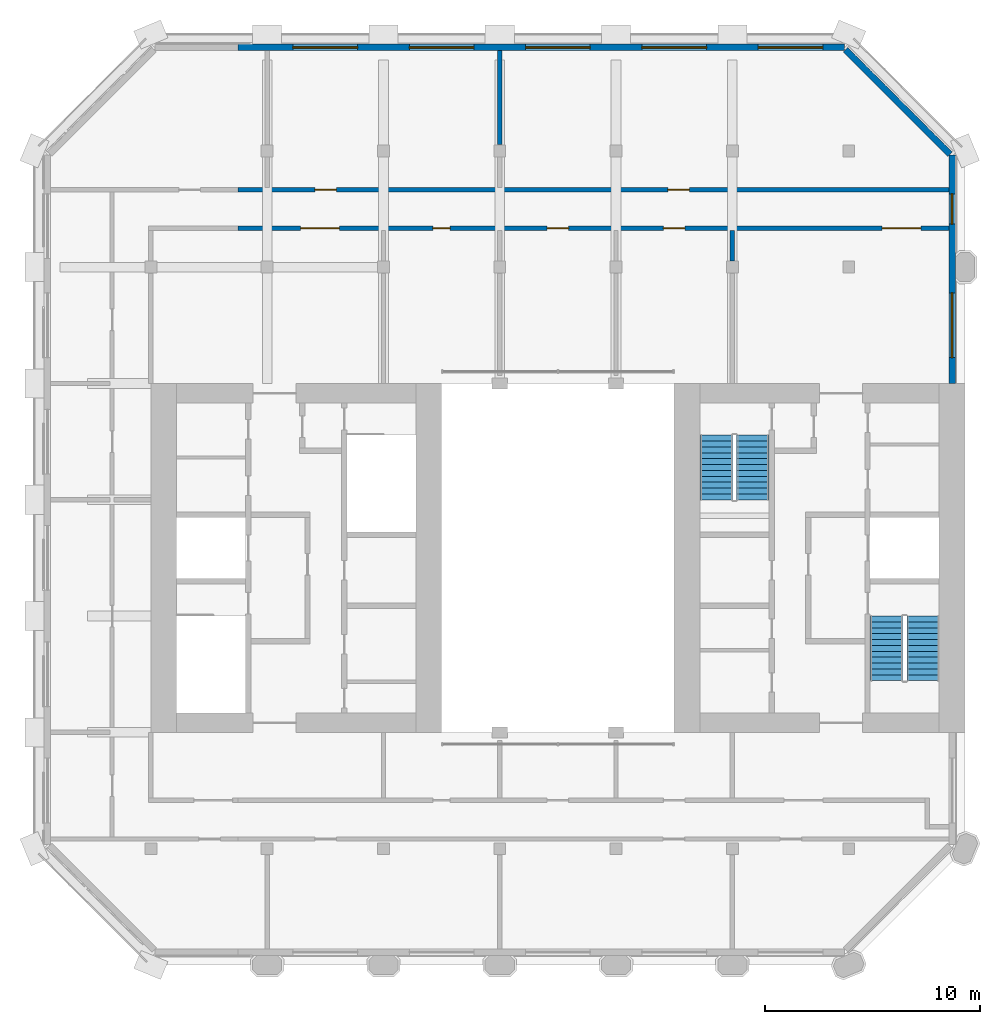
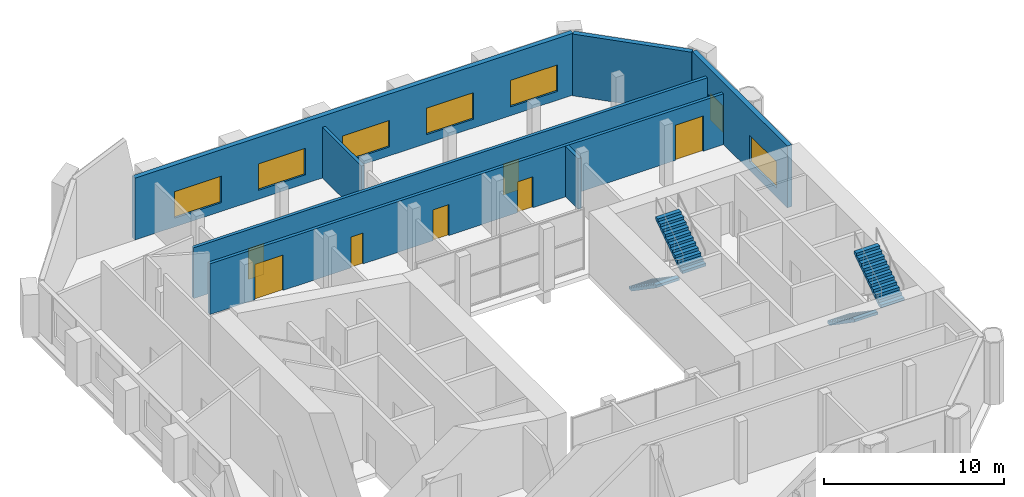
# One storey, part 9 of 11: 7 doors, 7 walls, 7 windows, 4 stair flights, 14 openings, 2 elements without a shape of their own.
"""IFC4 building model written with IfcOpenShell, lengths in metres."""

from ifc_helpers import new_model, si_unit, direction, frame, frame_2d, origin, place, context, subcontext, project, spatial, polyline, rectangle, outline, extrude, material, layer, layer_set, type_object, element, fill, aggregate, save


model = new_model("IFC4")

# Units and contexts
model_context = context("Model", 3, precision=1e-05, world=origin(), true_north=direction((0.0, 1.0)))
body_context = subcontext(model_context, "Body", "Model", "MODEL_VIEW")
ifc_project = project(units=[si_unit("LENGTHUNIT", "METRE"), si_unit("AREAUNIT", "SQUARE_METRE"), si_unit("VOLUMEUNIT", "CUBIC_METRE"), si_unit("PLANEANGLEUNIT", "RADIAN"), si_unit("MASSUNIT", "GRAM", prefix="KILO")], contexts=[model_context])

# Site, building, storey
site_placement = place(None, origin())
site = spatial("IfcSite", under=ifc_project, at=site_placement, CompositionType="ELEMENT")
building_placement = place(site_placement, origin())
building = spatial("IfcBuilding", under=site, at=building_placement, Name="Tabaq Tower and Sports Hall", CompositionType="ELEMENT")
storey_placement = place(building_placement, frame((0.0, 0.0, 321.699951171875)))
storey = spatial("IfcBuildingStorey", under=building, at=storey_placement, Name="L80", CompositionType="ELEMENT", Elevation=321.699951171875)

# Wall
ifc_material_1 = material(Name="Blockwork", Category="masonry")
ifc_layer_1 = layer(ifc_material_1, 0.199951171875)
ifc_layer_set_1 = layer_set([ifc_layer_1], Name="Fire compartment wall 200 Blockwork")
wall_type_1 = type_object("IfcWallType", Name="Fire compartment wall 200 Blockwork", PredefinedType="PARTITIONING", material=ifc_layer_set_1)
wall_1_placement = place(storey_placement, frame((21.60009765625, 47.84912109375, 0.0), z_axis=(0.0, 0.0, 1.0), x_axis=(0.0, -1.0, 0.0)))
element("IfcWall", 1, at=wall_1_placement, inside=storey, type_object=wall_type_1, Name="Compartment wall L80", PredefinedType="PARTITIONING", context=body_context, shape_type="SweptSolid", body=[
    extrude(rectangle(XDim=4.35400390625, YDim=0.199951171875, at=frame_2d((2.177001953125, 0.0))), origin(), (0.0, 0.0, 1.0), 3.449951171875),
])

# Wall, openings, doors
wall_2_placement = place(storey_placement, frame((42.448974609375, 41.39990234375, 0.0), z_axis=(0.0, 0.0, 1.0), x_axis=(-1.0, 0.0, 0.0)))
wall_2 = element("IfcWall", 2, at=wall_2_placement, inside=storey, type_object=wall_type_1, Name="Compartment wall L80", PredefinedType="PARTITIONING", context=body_context, shape_type="SweptSolid", body=[
    extrude(rectangle(XDim=32.9990234375, YDim=0.199951171875, at=frame_2d((16.49951171875, 0.0))), origin(), (0.0, 0.0, 1.0), 3.449951171875),
])
opening_1_placement = place(wall_2_placement, frame((12.049072265625, 0.0, 0.0)))
opening_1 = element("IfcOpeningElement", 3, at=opening_1_placement, cuts=wall_2, Name="Opening L80-002", PredefinedType="OPENING", context=body_context, shape_type="SweptSolid", body=[
    extrude(rectangle(XDim=1.0, YDim=2.10009765625, at=frame_2d((0.5, 1.050048828125))), frame((0.0, 0.10009765625, 0.0), z_axis=(0.0, -1.0, 0.0), x_axis=(1.0, 0.0, 0.0)), (0.0, 0.0, 1.0), 0.199951171875),
])
opening_2_placement = place(wall_2_placement, frame((28.431884765625, 0.0, 0.0)))
opening_2 = element("IfcOpeningElement", 4, at=opening_2_placement, cuts=wall_2, Name="Opening L80-003", PredefinedType="OPENING", context=body_context, shape_type="SweptSolid", body=[
    extrude(rectangle(XDim=1.0, YDim=2.10009765625, at=frame_2d((0.5, 1.050048828125))), frame((0.0, 0.10009765625, 0.0), z_axis=(0.0, -1.0, 0.0), x_axis=(1.0, 0.0, 0.0)), (0.0, 0.0, 1.0), 0.199951171875),
])
ifc_material_2 = material(Name="Steel fire door", Category="steel")
door_type_1 = type_object("IfcDoorType", Name="Plant room door 1000 left hand", OperationType="SINGLE_SWING_LEFT", PredefinedType="DOOR", material=ifc_material_2)
door_1_placement = place(opening_2_placement, origin())
door_1 = element("IfcDoor", 5, at=door_1_placement, inside=storey, type_object=door_type_1, Name="Plant room door L80-003", OperationType="SINGLE_SWING_LEFT", OverallHeight=2.10009765625, OverallWidth=1.0, PredefinedType="DOOR", context=body_context, shape_type="SweptSolid", body=[
    extrude(rectangle(XDim=1.0, YDim=2.10009765625, at=frame_2d((0.5, 1.050048828125))), frame((0.0, 0.02490234375, 0.0), z_axis=(0.0, -1.0, 0.0), x_axis=(1.0, 0.0, 0.0)), (0.0, 0.0, 1.0), 0.050048828125),
])
fill(opening_2, door_1)
ifc_material_3 = material(Name="Steel fire door", Category="steel")
door_type_2 = type_object("IfcDoorType", Name="Plant room door 1000 right hand", OperationType="SINGLE_SWING_RIGHT", PredefinedType="DOOR", material=ifc_material_3)
door_2_placement = place(opening_1_placement, origin())
door_2 = element("IfcDoor", 6, at=door_2_placement, inside=storey, type_object=door_type_2, Name="Plant room door L80-002", OperationType="SINGLE_SWING_RIGHT", OverallHeight=2.10009765625, OverallWidth=1.0, PredefinedType="DOOR", context=body_context, shape_type="SweptSolid", body=[
    extrude(rectangle(XDim=1.0, YDim=2.10009765625, at=frame_2d((0.5, 1.050048828125))), frame((0.0, 0.02490234375, 0.0), z_axis=(0.0, -1.0, 0.0), x_axis=(1.0, 0.0, 0.0)), (0.0, 0.0, 1.0), 0.050048828125),
])
fill(opening_1, door_2)

# Wall
wall_3_placement = place(storey_placement, frame((32.39990234375, 38.094970703125, 0.0), z_axis=(0.0, 0.0, 1.0), x_axis=(0.0, 1.0, 0.0)))
element("IfcWall", 7, at=wall_3_placement, inside=storey, type_object=wall_type_1, Name="Compartment wall L80", PredefinedType="PARTITIONING", context=body_context, shape_type="SweptSolid", body=[
    extrude(rectangle(XDim=1.405029296875, YDim=0.199951171875, at=frame_2d((0.70263671875, 0.0))), origin(), (0.0, 0.0, 1.0), 3.449951171875),
])

# Wall, openings, doors
wall_4_placement = place(storey_placement, frame((42.448974609375, 39.60009765625, 0.0), z_axis=(0.0, 0.0, 1.0), x_axis=(-1.0, 0.0, 0.0)))
wall_4 = element("IfcWall", 8, at=wall_4_placement, inside=storey, type_object=wall_type_1, Name="Compartment wall L80", PredefinedType="PARTITIONING", context=body_context, shape_type="SweptSolid", body=[
    extrude(rectangle(XDim=32.9990234375, YDim=0.199951171875, at=frame_2d((16.49951171875, 0.0))), origin(), (0.0, 0.0, 1.0), 3.449951171875),
])
opening_3_placement = place(wall_4_placement, frame((12.2490234375, 0.0, 0.0)))
opening_3 = element("IfcOpeningElement", 9, at=opening_3_placement, cuts=wall_4, Name="Opening L80-005", PredefinedType="OPENING", context=body_context, shape_type="SweptSolid", body=[
    extrude(rectangle(XDim=1.0, YDim=2.10009765625, at=frame_2d((0.5, 1.050048828125))), frame((0.0, 0.10009765625, 0.0), z_axis=(0.0, -1.0, 0.0), x_axis=(1.0, 0.0, 0.0)), (0.0, 0.0, 1.0), 0.199951171875),
])
opening_4_placement = place(wall_4_placement, frame((17.64892578125, 0.0, 0.0)))
opening_4 = element("IfcOpeningElement", 10, at=opening_4_placement, cuts=wall_4, Name="Opening L80-006", PredefinedType="OPENING", context=body_context, shape_type="SweptSolid", body=[
    extrude(rectangle(XDim=1.0, YDim=2.10009765625, at=frame_2d((0.5, 1.050048828125))), frame((0.0, 0.10009765625, 0.0), z_axis=(0.0, -1.0, 0.0), x_axis=(1.0, 0.0, 0.0)), (0.0, 0.0, 1.0), 0.199951171875),
])
opening_5_placement = place(wall_4_placement, frame((23.14892578125, 0.0, 0.0)))
opening_5 = element("IfcOpeningElement", 11, at=opening_5_placement, cuts=wall_4, Name="Opening L80-007", PredefinedType="OPENING", context=body_context, shape_type="SweptSolid", body=[
    extrude(rectangle(XDim=0.800048828125, YDim=2.10009765625, at=frame_2d((0.39990234375, 1.050048828125))), frame((0.0, 0.10009765625, 0.0), z_axis=(0.0, -1.0, 0.0), x_axis=(1.0, 0.0, 0.0)), (0.0, 0.0, 1.0), 0.199951171875),
])
opening_6_placement = place(wall_4_placement, frame((1.299072265625, 0.0, 0.0)))
opening_6 = element("IfcOpeningElement", 12, at=opening_6_placement, cuts=wall_4, Name="Opening L80-018", PredefinedType="OPENING", context=body_context, shape_type="SweptSolid", body=[
    extrude(rectangle(XDim=1.800048828125, YDim=2.39990234375, at=frame_2d((0.89990234375, 1.199951171875))), frame((0.0, 0.10009765625, 0.0), z_axis=(0.0, -1.0, 0.0), x_axis=(1.0, 0.0, 0.0)), (0.0, 0.0, 1.0), 0.199951171875),
])
opening_7_placement = place(wall_4_placement, frame((28.299072265625, 0.0, 0.0)))
opening_7 = element("IfcOpeningElement", 13, at=opening_7_placement, cuts=wall_4, Name="Opening L80-019", PredefinedType="OPENING", context=body_context, shape_type="SweptSolid", body=[
    extrude(rectangle(XDim=1.800048828125, YDim=2.39990234375, at=frame_2d((0.89990234375, 1.199951171875))), frame((0.0, 0.10009765625, 0.0), z_axis=(0.0, -1.0, 0.0), x_axis=(1.0, 0.0, 0.0)), (0.0, 0.0, 1.0), 0.199951171875),
])
door_3_placement = place(opening_4_placement, origin())
door_3 = element("IfcDoor", 14, at=door_3_placement, inside=storey, type_object=door_type_1, Name="Plant room door L80-006", OperationType="SINGLE_SWING_LEFT", OverallHeight=2.10009765625, OverallWidth=1.0, PredefinedType="DOOR", context=body_context, shape_type="SweptSolid", body=[
    extrude(rectangle(XDim=1.0, YDim=2.10009765625, at=frame_2d((0.5, 1.050048828125))), frame((0.0, 0.02490234375, 0.0), z_axis=(0.0, -1.0, 0.0), x_axis=(1.0, 0.0, 0.0)), (0.0, 0.0, 1.0), 0.050048828125),
])
fill(opening_4, door_3)
door_4_placement = place(opening_3_placement, origin())
door_4 = element("IfcDoor", 15, at=door_4_placement, inside=storey, type_object=door_type_2, Name="Plant room door L80-005", OperationType="SINGLE_SWING_RIGHT", OverallHeight=2.10009765625, OverallWidth=1.0, PredefinedType="DOOR", context=body_context, shape_type="SweptSolid", body=[
    extrude(rectangle(XDim=1.0, YDim=2.10009765625, at=frame_2d((0.5, 1.050048828125))), frame((0.0, 0.02490234375, 0.0), z_axis=(0.0, -1.0, 0.0), x_axis=(1.0, 0.0, 0.0)), (0.0, 0.0, 1.0), 0.050048828125),
])
fill(opening_3, door_4)
ifc_material_4 = material(Name="Steel fire door", Category="steel")
door_type_3 = type_object("IfcDoorType", Name="Plant room door 1800", OperationType="DOUBLE_DOOR_SINGLE_SWING", PredefinedType="DOOR", material=ifc_material_4)
door_5_placement = place(opening_6_placement, origin())
door_5 = element("IfcDoor", 16, at=door_5_placement, inside=storey, type_object=door_type_3, Name="Plant room door L80-018", OperationType="DOUBLE_DOOR_SINGLE_SWING", OverallHeight=2.39990234375, OverallWidth=1.800048828125, PredefinedType="DOOR", context=body_context, shape_type="SweptSolid", body=[
    extrude(rectangle(XDim=1.800048828125, YDim=2.39990234375, at=frame_2d((0.89990234375, 1.199951171875))), frame((0.0, 0.02490234375, 0.0), z_axis=(0.0, -1.0, 0.0), x_axis=(1.0, 0.0, 0.0)), (0.0, 0.0, 1.0), 0.050048828125),
])
fill(opening_6, door_5)
door_6_placement = place(opening_7_placement, origin())
door_6 = element("IfcDoor", 17, at=door_6_placement, inside=storey, type_object=door_type_3, Name="Plant room door L80-019", OperationType="DOUBLE_DOOR_SINGLE_SWING", OverallHeight=2.39990234375, OverallWidth=1.800048828125, PredefinedType="DOOR", context=body_context, shape_type="SweptSolid", body=[
    extrude(rectangle(XDim=1.800048828125, YDim=2.39990234375, at=frame_2d((0.89990234375, 1.199951171875))), frame((0.0, 0.02490234375, 0.0), z_axis=(0.0, -1.0, 0.0), x_axis=(1.0, 0.0, 0.0)), (0.0, 0.0, 1.0), 0.050048828125),
])
fill(opening_7, door_6)
ifc_material_5 = material(Name="Steel fire door", Category="steel")
door_type_4 = type_object("IfcDoorType", Name="Plant room door 800 left hand", OperationType="SINGLE_SWING_LEFT", PredefinedType="DOOR", material=ifc_material_5)
door_7_placement = place(opening_5_placement, origin())
door_7 = element("IfcDoor", 18, at=door_7_placement, inside=storey, type_object=door_type_4, Name="Plant room door L80-007", OperationType="SINGLE_SWING_LEFT", OverallHeight=2.10009765625, OverallWidth=0.800048828125, PredefinedType="DOOR", context=body_context, shape_type="SweptSolid", body=[
    extrude(rectangle(XDim=0.800048828125, YDim=2.10009765625, at=frame_2d((0.39990234375, 1.050048828125))), frame((0.0, 0.02490234375, 0.0), z_axis=(0.0, -1.0, 0.0), x_axis=(1.0, 0.0, 0.0)), (0.0, 0.0, 1.0), 0.050048828125),
])
fill(opening_5, door_7)

# Wall, openings, windows
ifc_material_6 = material(Name="White precast concrete C60/75", Category="concrete")
ifc_layer_2 = layer(ifc_material_6, 0.300048828125)
ifc_layer_set_2 = layer_set([ifc_layer_2], Name="White precast concrete C60/75 external wall 300")
wall_type_2 = type_object("IfcWallType", Name="White precast concrete C60/75 external wall 300", PredefinedType="SOLIDWALL", material=ifc_layer_set_2)
wall_5_placement = place(storey_placement, frame((42.60009765625, 32.39990234375, 0.0), z_axis=(0.0, 0.0, 1.0), x_axis=(0.0, 1.0, 0.0)))
wall_5 = element("IfcWall", 19, at=wall_5_placement, inside=storey, type_object=wall_type_2, Name="External Wall L80 E", PredefinedType="SOLIDWALL", context=body_context, shape_type="SweptSolid", body=[
    extrude(outline(polyline([(0.0, 0.0), (10.61376953125, 0.0), (10.613525390625, 4.199951171875), (10.02392578125, 4.199951171875), (9.434326171875, 4.199951171875), (8.8447265625, 4.199951171875), (8.255126953125, 4.199951171875), (7.665283203125, 4.199951171875), (7.07568359375, 4.199951171875), (6.486083984375, 4.199951171875), (5.896484375, 4.199951171875), (5.306884765625, 4.199951171875), (4.717041015625, 4.199951171875), (4.12744140625, 4.199951171875), (3.537841796875, 4.199951171875), (2.9482421875, 4.199951171875), (2.358642578125, 4.199951171875), (1.76904296875, 4.199951171875), (1.17919921875, 4.199951171875), (0.589599609375, 4.199951171875), (0.0, 4.199951171875), (0.0, 0.0)])), frame((0.0, 0.14990234375, 0.0), z_axis=(0.0, -1.0, 0.0), x_axis=(1.0, 0.0, 0.0)), (0.0, 0.0, 1.0), 0.300048828125),
])
opening_8_placement = place(wall_5_placement, frame((1.199951171875, 0.0, 0.60009765625)))
opening_8 = element("IfcOpeningElement", 20, at=opening_8_placement, cuts=wall_5, Name="Opening LV1", PredefinedType="OPENING", context=body_context, shape_type="SweptSolid", body=[
    extrude(rectangle(XDim=3.0, YDim=1.800048828125, at=frame_2d((1.5, 0.89990234375))), frame((0.0, 0.16015625, 0.0), z_axis=(0.0, -1.0, 0.0), x_axis=(1.0, 0.0, 0.0)), (0.0, 0.0, 1.0), 0.320068359375),
])
opening_9_placement = place(wall_5_placement, frame((7.396484375, 0.0, 0.60009765625)))
opening_9 = element("IfcOpeningElement", 21, at=opening_9_placement, cuts=wall_5, Name="Opening LV3", PredefinedType="OPENING", context=body_context, shape_type="SweptSolid", body=[
    extrude(rectangle(XDim=1.39990234375, YDim=1.800048828125, at=frame_2d((0.699951171875, 0.89990234375))), frame((0.0, 0.16015625, 0.0), z_axis=(0.0, -1.0, 0.0), x_axis=(1.0, 0.0, 0.0)), (0.0, 0.0, 1.0), 0.320068359375),
])
ifc_material_7 = material(Name="Aluminium alloy 6063-T6 louvre blades", Category="aluminium")
window_type_1 = type_object("IfcWindowType", Name="Plant louvre LV1", PartitioningType="SINGLE_PANEL", PredefinedType="WINDOW", material=ifc_material_7)
window_1_placement = place(opening_8_placement, origin())
window_1 = element("IfcWindow", 22, at=window_1_placement, inside=storey, type_object=window_type_1, Name="Plant louvre L80", OverallHeight=1.800048828125, OverallWidth=3.0, PartitioningType="SINGLE_PANEL", PredefinedType="WINDOW", context=body_context, shape_type="SweptSolid", body=[
    extrude(rectangle(XDim=3.0, YDim=1.800048828125, at=frame_2d((1.5, 0.89990234375))), frame((0.0, 0.030029296875, 0.0), z_axis=(0.0, -1.0, 0.0), x_axis=(1.0, 0.0, 0.0)), (0.0, 0.0, 1.0), 0.06005859375),
])
fill(opening_8, window_1)
ifc_material_8 = material(Name="Aluminium alloy 6063-T6 louvre blades", Category="aluminium")
window_type_2 = type_object("IfcWindowType", Name="Plant louvre LV3", PartitioningType="SINGLE_PANEL", PredefinedType="WINDOW", material=ifc_material_8)
window_2_placement = place(opening_9_placement, origin())
window_2 = element("IfcWindow", 23, at=window_2_placement, inside=storey, type_object=window_type_2, Name="Plant louvre L80", OverallHeight=1.800048828125, OverallWidth=1.39990234375, PartitioningType="SINGLE_PANEL", PredefinedType="WINDOW", context=body_context, shape_type="SweptSolid", body=[
    extrude(rectangle(XDim=1.39990234375, YDim=1.800048828125, at=frame_2d((0.699951171875, 0.89990234375))), frame((0.0, 0.030029296875, 0.0), z_axis=(0.0, -1.0, 0.0), x_axis=(1.0, 0.0, 0.0)), (0.0, 0.0, 1.0), 0.06005859375),
])
fill(opening_9, window_2)

# Wall
wall_6_placement = place(storey_placement, frame((42.5009765625, 43.050537109375, 0.0), z_axis=(0.0, 0.0, 1.0), x_axis=(-0.707106781187, 0.707106781187, 0.0)))
element("IfcWall", 24, at=wall_6_placement, inside=storey, type_object=wall_type_2, Name="External Wall L80 NE", PredefinedType="SOLIDWALL", context=body_context, shape_type="SweptSolid", body=[
    extrude(outline(polyline([(0.0, 0.0), (6.85986328125, 0.0), (6.859619140625, 4.199951171875), (6.2880859375, 4.199951171875), (5.71630859375, 4.199951171875), (5.144775390625, 4.199951171875), (4.5732421875, 4.199951171875), (4.00146484375, 4.199951171875), (3.429931640625, 4.199951171875), (2.858154296875, 4.199951171875), (2.28662109375, 4.199951171875), (1.71484375, 4.199951171875), (1.143310546875, 4.199951171875), (0.571533203125, 4.199951171875), (0.0, 4.199951171875), (0.0, 0.0)])), frame((0.0, 0.14990234375, 0.0), z_axis=(0.0, -1.0, 0.0), x_axis=(1.0, 0.0, 0.0)), (0.0, 0.0, 1.0), 0.300048828125),
])

# Wall, openings, windows
wall_7_placement = place(storey_placement, frame((37.613525390625, 48.0, 0.0), z_axis=(0.0, 0.0, 1.0), x_axis=(-1.0, 0.0, 0.0)))
wall_7 = element("IfcWall", 25, at=wall_7_placement, inside=storey, type_object=wall_type_2, Name="External Wall L80 N", PredefinedType="SOLIDWALL", context=body_context, shape_type="SweptSolid", body=[
    extrude(outline(polyline([(0.0, 0.0), (28.16357421875, 0.0), (28.16357421875, 4.199951171875), (27.564453125, 4.199951171875), (26.965087890625, 4.199951171875), (26.365966796875, 4.199951171875), (25.7666015625, 4.199951171875), (25.16748046875, 4.199951171875), (24.568359375, 4.199951171875), (23.968994140625, 4.199951171875), (23.369873046875, 4.199951171875), (22.7705078125, 4.199951171875), (22.17138671875, 4.199951171875), (21.572021484375, 4.199951171875), (20.972900390625, 4.199951171875), (20.373779296875, 4.199951171875), (19.7744140625, 4.199951171875), (19.17529296875, 4.199951171875), (18.575927734375, 4.199951171875), (17.976806640625, 4.199951171875), (17.37744140625, 4.199951171875), (16.7783203125, 4.199951171875), (16.17919921875, 4.199951171875), (15.579833984375, 4.199951171875), (14.980712890625, 4.199951171875), (14.38134765625, 4.199951171875), (13.7822265625, 4.199951171875), (13.182861328125, 4.199951171875), (12.583740234375, 4.199951171875), (11.984619140625, 4.199951171875), (11.38525390625, 4.199951171875), (10.7861328125, 4.199951171875), (10.186767578125, 4.199951171875), (9.587646484375, 4.199951171875), (8.98828125, 4.199951171875), (8.38916015625, 4.199951171875), (7.7900390625, 4.199951171875), (7.190673828125, 4.199951171875), (6.591552734375, 4.199951171875), (5.9921875, 4.199951171875), (5.39306640625, 4.199951171875), (4.793701171875, 4.199951171875), (4.194580078125, 4.199951171875), (3.595458984375, 4.199951171875), (2.99609375, 4.199951171875), (2.39697265625, 4.199951171875), (1.797607421875, 4.199951171875), (1.198486328125, 4.199951171875), (0.59912109375, 4.199951171875), (0.0, 4.199951171875), (0.0, 0.0)])), frame((0.0, 0.14990234375, 0.0), z_axis=(0.0, -1.0, 0.0), x_axis=(1.0, 0.0, 0.0)), (0.0, 0.0, 1.0), 0.300048828125),
])
opening_10_placement = place(wall_7_placement, frame((1.013671875, 0.0, 0.60009765625)))
opening_10 = element("IfcOpeningElement", 26, at=opening_10_placement, cuts=wall_7, Name="Opening LV1", PredefinedType="OPENING", context=body_context, shape_type="SweptSolid", body=[
    extrude(rectangle(XDim=3.0, YDim=1.800048828125, at=frame_2d((1.5, 0.89990234375))), frame((0.0, 0.16015625, 0.0), z_axis=(0.0, -1.0, 0.0), x_axis=(1.0, 0.0, 0.0)), (0.0, 0.0, 1.0), 0.320068359375),
])
opening_11_placement = place(wall_7_placement, frame((6.41357421875, 0.0, 0.60009765625)))
opening_11 = element("IfcOpeningElement", 27, at=opening_11_placement, cuts=wall_7, Name="Opening LV1", PredefinedType="OPENING", context=body_context, shape_type="SweptSolid", body=[
    extrude(rectangle(XDim=3.0, YDim=1.800048828125, at=frame_2d((1.5, 0.89990234375))), frame((0.0, 0.16015625, 0.0), z_axis=(0.0, -1.0, 0.0), x_axis=(1.0, 0.0, 0.0)), (0.0, 0.0, 1.0), 0.320068359375),
])
opening_12_placement = place(wall_7_placement, frame((11.813720703125, 0.0, 0.60009765625)))
opening_12 = element("IfcOpeningElement", 28, at=opening_12_placement, cuts=wall_7, Name="Opening LV1", PredefinedType="OPENING", context=body_context, shape_type="SweptSolid", body=[
    extrude(rectangle(XDim=3.0, YDim=1.800048828125, at=frame_2d((1.5, 0.89990234375))), frame((0.0, 0.16015625, 0.0), z_axis=(0.0, -1.0, 0.0), x_axis=(1.0, 0.0, 0.0)), (0.0, 0.0, 1.0), 0.320068359375),
])
opening_13_placement = place(wall_7_placement, frame((17.213623046875, 0.0, 0.60009765625)))
opening_13 = element("IfcOpeningElement", 29, at=opening_13_placement, cuts=wall_7, Name="Opening LV1", PredefinedType="OPENING", context=body_context, shape_type="SweptSolid", body=[
    extrude(rectangle(XDim=3.0, YDim=1.800048828125, at=frame_2d((1.5, 0.89990234375))), frame((0.0, 0.16015625, 0.0), z_axis=(0.0, -1.0, 0.0), x_axis=(1.0, 0.0, 0.0)), (0.0, 0.0, 1.0), 0.320068359375),
])
opening_14_placement = place(wall_7_placement, frame((22.613525390625, 0.0, 0.60009765625)))
opening_14 = element("IfcOpeningElement", 30, at=opening_14_placement, cuts=wall_7, Name="Opening LV1", PredefinedType="OPENING", context=body_context, shape_type="SweptSolid", body=[
    extrude(rectangle(XDim=3.0, YDim=1.800048828125, at=frame_2d((1.5, 0.89990234375))), frame((0.0, 0.16015625, 0.0), z_axis=(0.0, -1.0, 0.0), x_axis=(1.0, 0.0, 0.0)), (0.0, 0.0, 1.0), 0.320068359375),
])
window_3_placement = place(opening_10_placement, origin())
window_3 = element("IfcWindow", 31, at=window_3_placement, inside=storey, type_object=window_type_1, Name="Plant louvre L80", OverallHeight=1.800048828125, OverallWidth=3.0, PartitioningType="SINGLE_PANEL", PredefinedType="WINDOW", context=body_context, shape_type="SweptSolid", body=[
    extrude(rectangle(XDim=3.0, YDim=1.800048828125, at=frame_2d((1.5, 0.89990234375))), frame((0.0, 0.030029296875, 0.0), z_axis=(0.0, -1.0, 0.0), x_axis=(1.0, 0.0, 0.0)), (0.0, 0.0, 1.0), 0.06005859375),
])
fill(opening_10, window_3)
window_4_placement = place(opening_11_placement, origin())
window_4 = element("IfcWindow", 32, at=window_4_placement, inside=storey, type_object=window_type_1, Name="Plant louvre L80", OverallHeight=1.800048828125, OverallWidth=3.0, PartitioningType="SINGLE_PANEL", PredefinedType="WINDOW", context=body_context, shape_type="SweptSolid", body=[
    extrude(rectangle(XDim=3.0, YDim=1.800048828125, at=frame_2d((1.5, 0.89990234375))), frame((0.0, 0.030029296875, 0.0), z_axis=(0.0, -1.0, 0.0), x_axis=(1.0, 0.0, 0.0)), (0.0, 0.0, 1.0), 0.06005859375),
])
fill(opening_11, window_4)
window_5_placement = place(opening_12_placement, origin())
window_5 = element("IfcWindow", 33, at=window_5_placement, inside=storey, type_object=window_type_1, Name="Plant louvre L80", OverallHeight=1.800048828125, OverallWidth=3.0, PartitioningType="SINGLE_PANEL", PredefinedType="WINDOW", context=body_context, shape_type="SweptSolid", body=[
    extrude(rectangle(XDim=3.0, YDim=1.800048828125, at=frame_2d((1.5, 0.89990234375))), frame((0.0, 0.030029296875, 0.0), z_axis=(0.0, -1.0, 0.0), x_axis=(1.0, 0.0, 0.0)), (0.0, 0.0, 1.0), 0.06005859375),
])
fill(opening_12, window_5)
window_6_placement = place(opening_13_placement, origin())
window_6 = element("IfcWindow", 34, at=window_6_placement, inside=storey, type_object=window_type_1, Name="Plant louvre L80", OverallHeight=1.800048828125, OverallWidth=3.0, PartitioningType="SINGLE_PANEL", PredefinedType="WINDOW", context=body_context, shape_type="SweptSolid", body=[
    extrude(rectangle(XDim=3.0, YDim=1.800048828125, at=frame_2d((1.5, 0.89990234375))), frame((0.0, 0.030029296875, 0.0), z_axis=(0.0, -1.0, 0.0), x_axis=(1.0, 0.0, 0.0)), (0.0, 0.0, 1.0), 0.06005859375),
])
fill(opening_13, window_6)
window_7_placement = place(opening_14_placement, origin())
window_7 = element("IfcWindow", 35, at=window_7_placement, inside=storey, type_object=window_type_1, Name="Plant louvre L80", OverallHeight=1.800048828125, OverallWidth=3.0, PartitioningType="SINGLE_PANEL", PredefinedType="WINDOW", context=body_context, shape_type="SweptSolid", body=[
    extrude(rectangle(XDim=3.0, YDim=1.800048828125, at=frame_2d((1.5, 0.89990234375))), frame((0.0, 0.030029296875, 0.0), z_axis=(0.0, -1.0, 0.0), x_axis=(1.0, 0.0, 0.0)), (0.0, 0.0, 1.0), 0.06005859375),
])
fill(opening_14, window_7)

# Stair, stair flights
ifc_material_9 = material(Name="Concrete C40/50", Category="concrete")
stair_type = type_object("IfcStairType", Name="Exit stair", PredefinedType="HALF_TURN_STAIR", material=ifc_material_9)
stair_1_placement = place(storey_placement, origin())
stair_1 = element("IfcStair", 36, at=stair_1_placement, inside=storey, type_object=stair_type, Name="L80 Exit stair ST3", PredefinedType="HALF_TURN_STAIR")
ifc_material_10 = material(Name="Concrete C40/50", Category="concrete")
stair_flight_type = type_object("IfcStairFlightType", Name="Exit stair flight", PredefinedType="STRAIGHT", material=ifc_material_10)
stair_flight_1_placement = place(storey_placement, frame((39.550048828125, 21.60009765625, 0.0), z_axis=(0.0, 0.0, 1.0), x_axis=(0.0, -1.0, 0.0)))
stair_flight_1 = element("IfcStairFlight", 37, at=stair_flight_1_placement, type_object=stair_flight_type, Name="ST3 flight 1", NumberOfRisers=12, NumberOfTreads=11, PredefinedType="STRAIGHT", RiserHeight=0.1875, TreadLength=0.272727273, context=body_context, shape_type="SweptSolid", body=[
    extrude(outline(polyline([(0.0, 0.0), (0.0, 0.1875), (0.272705078125, 0.1875), (0.272705078125, 0.375), (0.54541015625, 0.375), (0.54541015625, 0.5625), (0.818115234375, 0.5625), (0.818115234375, 0.75), (1.0908203125, 0.75), (1.0908203125, 0.9375), (1.363525390625, 0.9375), (1.363525390625, 1.125), (1.636474609375, 1.125), (1.636474609375, 1.3125), (1.9091796875, 1.3125), (1.9091796875, 1.5), (2.181884765625, 1.5), (2.181884765625, 1.6875), (2.45458984375, 1.6875), (2.45458984375, 1.875), (2.727294921875, 1.875), (2.727294921875, 2.0625), (3.0, 2.0625), (3.0, 2.25), (3.0, 1.880615234375), (0.2646484375, 0.0), (0.0, 0.0)])), frame((0.0, 0.75, 0.0), z_axis=(0.0, -1.0, 0.0), x_axis=(1.0, 0.0, 0.0)), (0.0, 0.0, 1.0), 1.5),
])
stair_flight_2_placement = place(storey_placement, frame((41.25, 18.60009765625, 2.25), z_axis=(0.0, 0.0, 1.0), x_axis=(0.0, 1.0, 0.0)))
stair_flight_2 = element("IfcStairFlight", 38, at=stair_flight_2_placement, type_object=stair_flight_type, Name="ST3 flight 2", NumberOfRisers=12, NumberOfTreads=11, PredefinedType="STRAIGHT", RiserHeight=0.1875, TreadLength=0.272727273, context=body_context, shape_type="SweptSolid", body=[
    extrude(outline(polyline([(0.0, 0.0), (0.0, 0.1875), (0.272705078125, 0.1875), (0.272705078125, 0.375), (0.54541015625, 0.375), (0.54541015625, 0.5625), (0.818115234375, 0.5625), (0.818115234375, 0.75), (1.0908203125, 0.75), (1.0908203125, 0.9375), (1.363525390625, 0.9375), (1.363525390625, 1.125), (1.636474609375, 1.125), (1.636474609375, 1.3125), (1.9091796875, 1.3125), (1.9091796875, 1.5), (2.181884765625, 1.5), (2.181884765625, 1.6875), (2.45458984375, 1.6875), (2.45458984375, 1.875), (2.727294921875, 1.875), (2.727294921875, 2.0625), (3.0, 2.0625), (3.0, 2.25), (3.0, 1.880615234375), (0.2646484375, 0.0), (0.0, 0.0)])), frame((0.0, 0.75, 0.0), z_axis=(0.0, -1.0, 0.0), x_axis=(1.0, 0.0, 0.0)), (0.0, 0.0, 1.0), 1.5),
])
aggregate(stair_1, [stair_flight_1, stair_flight_2])

stair_2_placement = place(storey_placement, origin())
stair_2 = element("IfcStair", 39, at=stair_2_placement, inside=storey, type_object=stair_type, Name="L80 Exit stair ST4", PredefinedType="HALF_TURN_STAIR")
stair_flight_3_placement = place(storey_placement, frame((31.64990234375, 30.0, 0.0), z_axis=(0.0, 0.0, 1.0), x_axis=(0.0, -1.0, 0.0)))
stair_flight_3 = element("IfcStairFlight", 40, at=stair_flight_3_placement, type_object=stair_flight_type, Name="ST4 flight 1", NumberOfRisers=12, NumberOfTreads=11, PredefinedType="STRAIGHT", RiserHeight=0.1875, TreadLength=0.272727273, context=body_context, shape_type="SweptSolid", body=[
    extrude(outline(polyline([(0.0, 0.0), (0.0, 0.1875), (0.272705078125, 0.1875), (0.272705078125, 0.375), (0.54541015625, 0.375), (0.54541015625, 0.5625), (0.818115234375, 0.5625), (0.818115234375, 0.75), (1.0908203125, 0.75), (1.0908203125, 0.9375), (1.363525390625, 0.9375), (1.363525390625, 1.125), (1.636474609375, 1.125), (1.636474609375, 1.3125), (1.9091796875, 1.3125), (1.9091796875, 1.5), (2.181884765625, 1.5), (2.181884765625, 1.6875), (2.45458984375, 1.6875), (2.45458984375, 1.875), (2.727294921875, 1.875), (2.727294921875, 2.0625), (3.0, 2.0625), (3.0, 2.25), (3.0, 1.880615234375), (0.2646484375, 0.0), (0.0, 0.0)])), frame((0.0, 0.75, 0.0), z_axis=(0.0, -1.0, 0.0), x_axis=(1.0, 0.0, 0.0)), (0.0, 0.0, 1.0), 1.5),
])
stair_flight_4_placement = place(storey_placement, frame((33.35009765625, 27.0, 2.25), z_axis=(0.0, 0.0, 1.0), x_axis=(0.0, 1.0, 0.0)))
stair_flight_4 = element("IfcStairFlight", 41, at=stair_flight_4_placement, type_object=stair_flight_type, Name="ST4 flight 2", NumberOfRisers=12, NumberOfTreads=11, PredefinedType="STRAIGHT", RiserHeight=0.1875, TreadLength=0.272727273, context=body_context, shape_type="SweptSolid", body=[
    extrude(outline(polyline([(0.0, 0.0), (0.0, 0.1875), (0.272705078125, 0.1875), (0.272705078125, 0.375), (0.54541015625, 0.375), (0.54541015625, 0.5625), (0.818115234375, 0.5625), (0.818115234375, 0.75), (1.0908203125, 0.75), (1.0908203125, 0.9375), (1.363525390625, 0.9375), (1.363525390625, 1.125), (1.636474609375, 1.125), (1.636474609375, 1.3125), (1.9091796875, 1.3125), (1.9091796875, 1.5), (2.181884765625, 1.5), (2.181884765625, 1.6875), (2.45458984375, 1.6875), (2.45458984375, 1.875), (2.727294921875, 1.875), (2.727294921875, 2.0625), (3.0, 2.0625), (3.0, 2.25), (3.0, 1.880615234375), (0.2646484375, 0.0), (0.0, 0.0)])), frame((0.0, 0.75, 0.0), z_axis=(0.0, -1.0, 0.0), x_axis=(1.0, 0.0, 0.0)), (0.0, 0.0, 1.0), 1.5),
])
aggregate(stair_2, [stair_flight_3, stair_flight_4])

save(model, "model.ifc")
